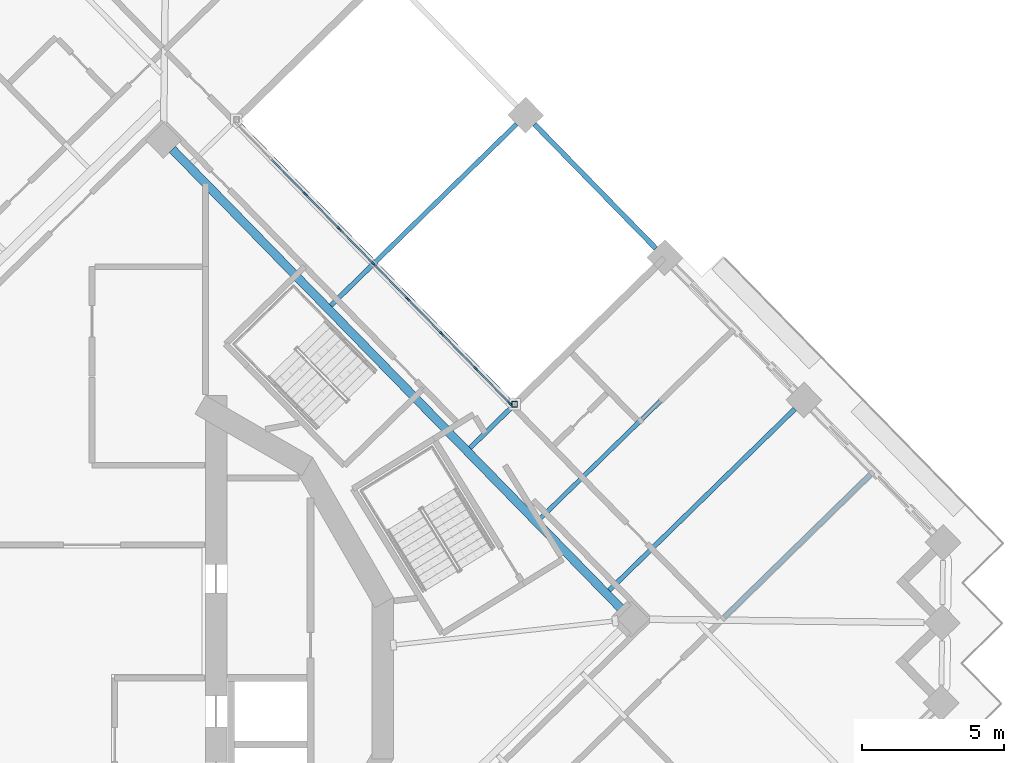
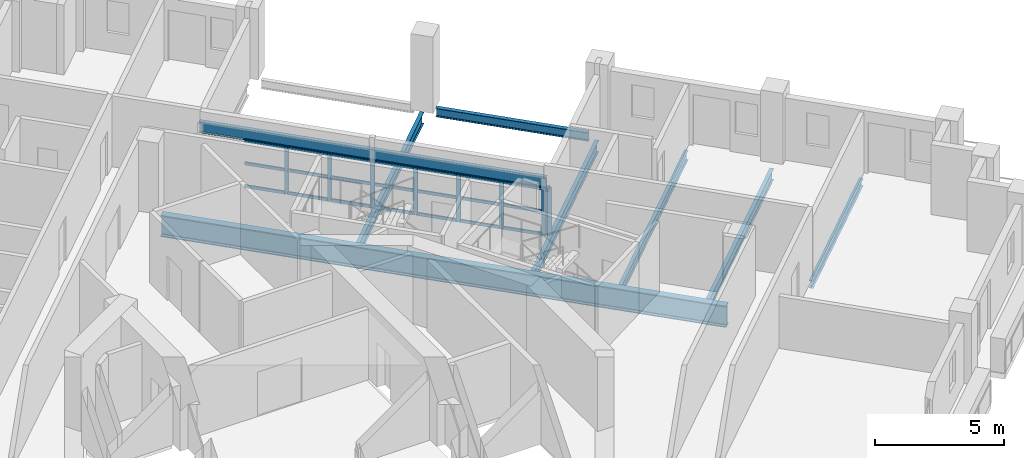
# One storey, part 3 of 20: 29 members, 8 beams, 1 element without a shape of its own.
"""IFC4 building model written with IfcOpenShell, lengths in metres."""

from ifc_helpers import new_model, si_unit, direction, frame, origin, origin_2d, place, context, subcontext, project, spatial, rectangle, hollow_rectangle, i_section, extrude, material, material_profile, profile_set, type_object, element, aggregate, save


model = new_model("IFC4")

# Units and contexts
model_context = context("Model", 3, precision=1e-05, world=origin(), true_north=direction((0.0, 1.0)))
body_context = subcontext(model_context, "Body", "Model", "MODEL_VIEW")
ifc_project = project(units=[si_unit("LENGTHUNIT", "METRE"), si_unit("AREAUNIT", "SQUARE_METRE"), si_unit("VOLUMEUNIT", "CUBIC_METRE"), si_unit("PLANEANGLEUNIT", "RADIAN"), si_unit("MASSUNIT", "GRAM", prefix="KILO")], contexts=[model_context])

# Site, building, storey
site_placement = place(None, origin())
site = spatial("IfcSite", under=ifc_project, at=site_placement, CompositionType="ELEMENT")
building_placement = place(site_placement, origin())
building = spatial("IfcBuilding", under=site, at=building_placement, Name="Cantera Rosa Tower", CompositionType="ELEMENT")
storey_placement = place(building_placement, frame((0.0, 0.0, 209.0)))
storey = spatial("IfcBuildingStorey", under=building, at=storey_placement, Name="L44", CompositionType="ELEMENT", Elevation=209.0)

# Curtain wall, members
ifc_material_1 = material(Name="Aluminium frame with clear glass", Category="aluminium")
curtain_wall_type = type_object("IfcCurtainWallType", Name="CW1 TERRACE POCKET GLAZING", PredefinedType="NOTDEFINED", material=ifc_material_1)
curtain_wall_placement = place(storey_placement, origin())
curtain_wall = element("IfcCurtainWall", 1, at=curtain_wall_placement, inside=storey, type_object=curtain_wall_type, Name="CW1 CW1", PredefinedType="NOTDEFINED")
ifc_material_2 = material(Name="Anodised bronze aluminium", Category="aluminium")
ifc_material_profile_1 = material_profile(ifc_material_2, rectangle(XDim=0.06005859375, YDim=0.179931640625, at=origin_2d()), Name="CW-MULLION 60x180 POCKET")
ifc_profile_set_1 = profile_set([ifc_material_profile_1], Name="Anodised bronze aluminium")
member_type_1 = type_object("IfcMemberType", Name="CW-MULLION 60x180 POCKET", PredefinedType="MULLION", material=ifc_profile_set_1)
member_1_placement = place(storey_placement, frame((14.718994140625, 9.68994140625, 0.0), z_axis=(0.0, 0.0, 1.0), x_axis=(-0.715286291058, -0.698831540376, 0.0)))
member_1 = element("IfcMember", 2, at=member_1_placement, type_object=member_type_1, Name="CW1 mullion 1", PredefinedType="MULLION", context=body_context, shape_type="SweptSolid", body=[
    extrude(rectangle(XDim=0.06005859375, YDim=0.179931640625, at=origin_2d()), origin(), (0.0, 0.0, 1.0), 2.2119140625),
])
member_2_placement = place(storey_placement, frame((13.535400390625, 10.901611328125, 0.0), z_axis=(0.0, 0.0, 1.0), x_axis=(-0.715286291058, -0.698831540376, 0.0)))
member_2 = element("IfcMember", 3, at=member_2_placement, type_object=member_type_1, Name="CW1 mullion 2", PredefinedType="MULLION", context=body_context, shape_type="SweptSolid", body=[
    extrude(rectangle(XDim=0.06005859375, YDim=0.179931640625, at=origin_2d()), origin(), (0.0, 0.0, 1.0), 2.2119140625),
])
member_3_placement = place(storey_placement, frame((12.330810546875, 12.134521484375, 0.0), z_axis=(0.0, 0.0, 1.0), x_axis=(-0.715286291058, -0.698831540376, 0.0)))
member_3 = element("IfcMember", 4, at=member_3_placement, type_object=member_type_1, Name="CW1 mullion 3", PredefinedType="MULLION", context=body_context, shape_type="SweptSolid", body=[
    extrude(rectangle(XDim=0.06005859375, YDim=0.179931640625, at=origin_2d()), origin(), (0.0, 0.0, 1.0), 2.2119140625),
])
member_4_placement = place(storey_placement, frame((11.126220703125, 13.367431640625, 0.0), z_axis=(0.0, 0.0, 1.0), x_axis=(-0.715286291058, -0.698831540376, 0.0)))
member_4 = element("IfcMember", 5, at=member_4_placement, type_object=member_type_1, Name="CW1 mullion 4", PredefinedType="MULLION", context=body_context, shape_type="SweptSolid", body=[
    extrude(rectangle(XDim=0.06005859375, YDim=0.179931640625, at=origin_2d()), origin(), (0.0, 0.0, 1.0), 2.2119140625),
])
member_5_placement = place(storey_placement, frame((9.921630859375, 14.600341796875, 0.0), z_axis=(0.0, 0.0, 1.0), x_axis=(-0.715286291058, -0.698831540376, 0.0)))
member_5 = element("IfcMember", 6, at=member_5_placement, type_object=member_type_1, Name="CW1 mullion 5", PredefinedType="MULLION", context=body_context, shape_type="SweptSolid", body=[
    extrude(rectangle(XDim=0.06005859375, YDim=0.179931640625, at=origin_2d()), origin(), (0.0, 0.0, 1.0), 2.2119140625),
])
member_6_placement = place(storey_placement, frame((8.717041015625, 15.83349609375, 0.0), z_axis=(0.0, 0.0, 1.0), x_axis=(-0.715286291058, -0.698831540376, 0.0)))
member_6 = element("IfcMember", 7, at=member_6_placement, type_object=member_type_1, Name="CW1 mullion 6", PredefinedType="MULLION", context=body_context, shape_type="SweptSolid", body=[
    extrude(rectangle(XDim=0.06005859375, YDim=0.179931640625, at=origin_2d()), origin(), (0.0, 0.0, 1.0), 2.2119140625),
])
member_7_placement = place(storey_placement, frame((7.512451171875, 17.06640625, 0.0), z_axis=(0.0, 0.0, 1.0), x_axis=(-0.715286291058, -0.698831540376, 0.0)))
member_7 = element("IfcMember", 8, at=member_7_placement, type_object=member_type_1, Name="CW1 mullion 7", PredefinedType="MULLION", context=body_context, shape_type="SweptSolid", body=[
    extrude(rectangle(XDim=0.06005859375, YDim=0.179931640625, at=origin_2d()), origin(), (0.0, 0.0, 1.0), 2.2119140625),
])
ifc_material_3 = material(Name="Anodised bronze aluminium", Category="aluminium")
ifc_material_profile_2 = material_profile(ifc_material_3, rectangle(XDim=0.06005859375, YDim=0.139892578125, at=origin_2d()), Name="CW-TRANSOM 60x140 POCKET")
ifc_profile_set_2 = profile_set([ifc_material_profile_2], Name="Anodised bronze aluminium")
member_type_2 = type_object("IfcMemberType", Name="CW-TRANSOM 60x140 POCKET", PredefinedType="USERDEFINED", material=ifc_profile_set_2)
member_8_placement = place(storey_placement, frame((14.697998046875, 9.71142578125, 0.030029296875), z_axis=(-0.698764422619, 0.715351858656, 0.0), x_axis=(-0.715351858656, -0.698764422619, 0.0)))
member_8 = element("IfcMember", 9, at=member_8_placement, type_object=member_type_2, Name="CW1 transom 1.1", ObjectType="TRANSOM", PredefinedType="USERDEFINED", context=body_context, shape_type="SweptSolid", body=[
    extrude(rectangle(XDim=0.06005859375, YDim=0.139892578125, at=origin_2d()), origin(), (0.0, 0.0, 1.0), 1.6337890625),
])
member_9_placement = place(storey_placement, frame((14.697998046875, 9.71142578125, 1.10595703125), z_axis=(-0.698764422619, 0.715351858656, 0.0), x_axis=(-0.715351858656, -0.698764422619, 0.0)))
member_9 = element("IfcMember", 10, at=member_9_placement, type_object=member_type_2, Name="CW1 transom 1.2", ObjectType="TRANSOM", PredefinedType="USERDEFINED", context=body_context, shape_type="SweptSolid", body=[
    extrude(rectangle(XDim=0.06005859375, YDim=0.139892578125, at=origin_2d()), origin(), (0.0, 0.0, 1.0), 1.6337890625),
])
member_10_placement = place(storey_placement, frame((14.697998046875, 9.71142578125, 2.181884765625), z_axis=(-0.698764422619, 0.715351858656, 0.0), x_axis=(-0.715351858656, -0.698764422619, 0.0)))
member_10 = element("IfcMember", 11, at=member_10_placement, type_object=member_type_2, Name="CW1 transom 1.3", ObjectType="TRANSOM", PredefinedType="USERDEFINED", context=body_context, shape_type="SweptSolid", body=[
    extrude(rectangle(XDim=0.06005859375, YDim=0.139892578125, at=origin_2d()), origin(), (0.0, 0.0, 1.0), 1.6337890625),
])
member_11_placement = place(storey_placement, frame((13.514404296875, 10.923095703125, 0.030029296875), z_axis=(-0.698840818716, 0.715277226044, 0.0), x_axis=(-0.715277226044, -0.698840818716, 0.0)))
member_11 = element("IfcMember", 12, at=member_11_placement, type_object=member_type_2, Name="CW1 transom 2.1", ObjectType="TRANSOM", PredefinedType="USERDEFINED", context=body_context, shape_type="SweptSolid", body=[
    extrude(rectangle(XDim=0.06005859375, YDim=0.139892578125, at=origin_2d()), origin(), (0.0, 0.0, 1.0), 1.66357421875),
])
member_12_placement = place(storey_placement, frame((13.514404296875, 10.923095703125, 1.10595703125), z_axis=(-0.698840818716, 0.715277226044, 0.0), x_axis=(-0.715277226044, -0.698840818716, 0.0)))
member_12 = element("IfcMember", 13, at=member_12_placement, type_object=member_type_2, Name="CW1 transom 2.2", ObjectType="TRANSOM", PredefinedType="USERDEFINED", context=body_context, shape_type="SweptSolid", body=[
    extrude(rectangle(XDim=0.06005859375, YDim=0.139892578125, at=origin_2d()), origin(), (0.0, 0.0, 1.0), 1.66357421875),
])
member_13_placement = place(storey_placement, frame((13.514404296875, 10.923095703125, 2.181884765625), z_axis=(-0.698840818716, 0.715277226044, 0.0), x_axis=(-0.715277226044, -0.698840818716, 0.0)))
member_13 = element("IfcMember", 14, at=member_13_placement, type_object=member_type_2, Name="CW1 transom 2.3", ObjectType="TRANSOM", PredefinedType="USERDEFINED", context=body_context, shape_type="SweptSolid", body=[
    extrude(rectangle(XDim=0.06005859375, YDim=0.139892578125, at=origin_2d()), origin(), (0.0, 0.0, 1.0), 1.66357421875),
])
member_14_placement = place(storey_placement, frame((12.309814453125, 12.156005859375, 0.030029296875), z_axis=(-0.698840818716, 0.715277226044, 0.0), x_axis=(-0.715277226044, -0.698840818716, 0.0)))
member_14 = element("IfcMember", 15, at=member_14_placement, type_object=member_type_2, Name="CW1 transom 3.1", ObjectType="TRANSOM", PredefinedType="USERDEFINED", context=body_context, shape_type="SweptSolid", body=[
    extrude(rectangle(XDim=0.06005859375, YDim=0.139892578125, at=origin_2d()), origin(), (0.0, 0.0, 1.0), 1.66357421875),
])
member_15_placement = place(storey_placement, frame((12.309814453125, 12.156005859375, 1.10595703125), z_axis=(-0.698840818716, 0.715277226044, 0.0), x_axis=(-0.715277226044, -0.698840818716, 0.0)))
member_15 = element("IfcMember", 16, at=member_15_placement, type_object=member_type_2, Name="CW1 transom 3.2", ObjectType="TRANSOM", PredefinedType="USERDEFINED", context=body_context, shape_type="SweptSolid", body=[
    extrude(rectangle(XDim=0.06005859375, YDim=0.139892578125, at=origin_2d()), origin(), (0.0, 0.0, 1.0), 1.66357421875),
])
member_16_placement = place(storey_placement, frame((12.309814453125, 12.156005859375, 2.181884765625), z_axis=(-0.698840818716, 0.715277226044, 0.0), x_axis=(-0.715277226044, -0.698840818716, 0.0)))
member_16 = element("IfcMember", 17, at=member_16_placement, type_object=member_type_2, Name="CW1 transom 3.3", ObjectType="TRANSOM", PredefinedType="USERDEFINED", context=body_context, shape_type="SweptSolid", body=[
    extrude(rectangle(XDim=0.06005859375, YDim=0.139892578125, at=origin_2d()), origin(), (0.0, 0.0, 1.0), 1.66357421875),
])
member_17_placement = place(storey_placement, frame((11.105224609375, 13.388916015625, 0.030029296875), z_axis=(-0.698767465746, 0.71534888608, 0.0), x_axis=(-0.71534888608, -0.698767465746, 0.0)))
member_17 = element("IfcMember", 18, at=member_17_placement, type_object=member_type_2, Name="CW1 transom 4.1", ObjectType="TRANSOM", PredefinedType="USERDEFINED", context=body_context, shape_type="SweptSolid", body=[
    extrude(rectangle(XDim=0.06005859375, YDim=0.139892578125, at=origin_2d()), origin(), (0.0, 0.0, 1.0), 1.663818359375),
])
member_18_placement = place(storey_placement, frame((11.105224609375, 13.388916015625, 1.10595703125), z_axis=(-0.698767465746, 0.71534888608, 0.0), x_axis=(-0.71534888608, -0.698767465746, 0.0)))
member_18 = element("IfcMember", 19, at=member_18_placement, type_object=member_type_2, Name="CW1 transom 4.2", ObjectType="TRANSOM", PredefinedType="USERDEFINED", context=body_context, shape_type="SweptSolid", body=[
    extrude(rectangle(XDim=0.06005859375, YDim=0.139892578125, at=origin_2d()), origin(), (0.0, 0.0, 1.0), 1.663818359375),
])
member_19_placement = place(storey_placement, frame((11.105224609375, 13.388916015625, 2.181884765625), z_axis=(-0.698767465746, 0.71534888608, 0.0), x_axis=(-0.71534888608, -0.698767465746, 0.0)))
member_19 = element("IfcMember", 20, at=member_19_placement, type_object=member_type_2, Name="CW1 transom 4.3", ObjectType="TRANSOM", PredefinedType="USERDEFINED", context=body_context, shape_type="SweptSolid", body=[
    extrude(rectangle(XDim=0.06005859375, YDim=0.139892578125, at=origin_2d()), origin(), (0.0, 0.0, 1.0), 1.663818359375),
])
member_20_placement = place(storey_placement, frame((9.900634765625, 14.621826171875, 0.030029296875), z_axis=(-0.698842543678, 0.715275540716, 0.0), x_axis=(-0.715275540716, -0.698842543678, 0.0)))
member_20 = element("IfcMember", 21, at=member_20_placement, type_object=member_type_2, Name="CW1 transom 5.1", ObjectType="TRANSOM", PredefinedType="USERDEFINED", context=body_context, shape_type="SweptSolid", body=[
    extrude(rectangle(XDim=0.06005859375, YDim=0.139892578125, at=origin_2d()), origin(), (0.0, 0.0, 1.0), 1.6640625),
])
member_21_placement = place(storey_placement, frame((9.900634765625, 14.621826171875, 1.10595703125), z_axis=(-0.698842543678, 0.715275540716, 0.0), x_axis=(-0.715275540716, -0.698842543678, 0.0)))
member_21 = element("IfcMember", 22, at=member_21_placement, type_object=member_type_2, Name="CW1 transom 5.2", ObjectType="TRANSOM", PredefinedType="USERDEFINED", context=body_context, shape_type="SweptSolid", body=[
    extrude(rectangle(XDim=0.06005859375, YDim=0.139892578125, at=origin_2d()), origin(), (0.0, 0.0, 1.0), 1.6640625),
])
member_22_placement = place(storey_placement, frame((9.900634765625, 14.621826171875, 2.181884765625), z_axis=(-0.698842543678, 0.715275540716, 0.0), x_axis=(-0.715275540716, -0.698842543678, 0.0)))
member_22 = element("IfcMember", 23, at=member_22_placement, type_object=member_type_2, Name="CW1 transom 5.3", ObjectType="TRANSOM", PredefinedType="USERDEFINED", context=body_context, shape_type="SweptSolid", body=[
    extrude(rectangle(XDim=0.06005859375, YDim=0.139892578125, at=origin_2d()), origin(), (0.0, 0.0, 1.0), 1.6640625),
])
member_23_placement = place(storey_placement, frame((8.696044921875, 15.85498046875, 0.030029296875), z_axis=(-0.698915889484, 0.715203872632, 0.0), x_axis=(-0.715203872632, -0.698915889484, 0.0)))
member_23 = element("IfcMember", 24, at=member_23_placement, type_object=member_type_2, Name="CW1 transom 6.1", ObjectType="TRANSOM", PredefinedType="USERDEFINED", context=body_context, shape_type="SweptSolid", body=[
    extrude(rectangle(XDim=0.06005859375, YDim=0.139892578125, at=origin_2d()), origin(), (0.0, 0.0, 1.0), 1.663818359375),
])
member_24_placement = place(storey_placement, frame((8.696044921875, 15.85498046875, 1.10595703125), z_axis=(-0.698915889484, 0.715203872632, 0.0), x_axis=(-0.715203872632, -0.698915889484, 0.0)))
member_24 = element("IfcMember", 25, at=member_24_placement, type_object=member_type_2, Name="CW1 transom 6.2", ObjectType="TRANSOM", PredefinedType="USERDEFINED", context=body_context, shape_type="SweptSolid", body=[
    extrude(rectangle(XDim=0.06005859375, YDim=0.139892578125, at=origin_2d()), origin(), (0.0, 0.0, 1.0), 1.663818359375),
])
member_25_placement = place(storey_placement, frame((8.696044921875, 15.85498046875, 2.181884765625), z_axis=(-0.698915889484, 0.715203872632, 0.0), x_axis=(-0.715203872632, -0.698915889484, 0.0)))
member_25 = element("IfcMember", 26, at=member_25_placement, type_object=member_type_2, Name="CW1 transom 6.3", ObjectType="TRANSOM", PredefinedType="USERDEFINED", context=body_context, shape_type="SweptSolid", body=[
    extrude(rectangle(XDim=0.06005859375, YDim=0.139892578125, at=origin_2d()), origin(), (0.0, 0.0, 1.0), 1.663818359375),
])
member_26_placement = place(storey_placement, frame((7.491455078125, 17.087890625, 0.030029296875), z_axis=(-0.698915889484, 0.715203872632, 0.0), x_axis=(-0.715203872632, -0.698915889484, 0.0)))
member_26 = element("IfcMember", 27, at=member_26_placement, type_object=member_type_2, Name="CW1 transom 7.1", ObjectType="TRANSOM", PredefinedType="USERDEFINED", context=body_context, shape_type="SweptSolid", body=[
    extrude(rectangle(XDim=0.06005859375, YDim=0.139892578125, at=origin_2d()), origin(), (0.0, 0.0, 1.0), 1.663818359375),
])
member_27_placement = place(storey_placement, frame((7.491455078125, 17.087890625, 1.10595703125), z_axis=(-0.698915889484, 0.715203872632, 0.0), x_axis=(-0.715203872632, -0.698915889484, 0.0)))
member_27 = element("IfcMember", 28, at=member_27_placement, type_object=member_type_2, Name="CW1 transom 7.2", ObjectType="TRANSOM", PredefinedType="USERDEFINED", context=body_context, shape_type="SweptSolid", body=[
    extrude(rectangle(XDim=0.06005859375, YDim=0.139892578125, at=origin_2d()), origin(), (0.0, 0.0, 1.0), 1.663818359375),
])
member_28_placement = place(storey_placement, frame((7.491455078125, 17.087890625, 2.181884765625), z_axis=(-0.698915889484, 0.715203872632, 0.0), x_axis=(-0.715203872632, -0.698915889484, 0.0)))
member_28 = element("IfcMember", 29, at=member_28_placement, type_object=member_type_2, Name="CW1 transom 7.3", ObjectType="TRANSOM", PredefinedType="USERDEFINED", context=body_context, shape_type="SweptSolid", body=[
    extrude(rectangle(XDim=0.06005859375, YDim=0.139892578125, at=origin_2d()), origin(), (0.0, 0.0, 1.0), 1.663818359375),
])
aggregate(curtain_wall, [member_1, member_2, member_3, member_4, member_5, member_6, member_7, member_8, member_9, member_10, member_11, member_12, member_13, member_14, member_15, member_16, member_17, member_18, member_19, member_20, member_21, member_22, member_23, member_24, member_25, member_26, member_27, member_28])

# Member
ifc_material_4 = material(Name="Steel ASTM A992 (Fy 345 MPa)", Category="steel")
ifc_material_profile_3 = material_profile(ifc_material_4, hollow_rectangle(XDim=0.199951171875, YDim=0.199951171875, WallThickness=0.010009765625, at=origin_2d()), Name="LINTEL POST RHS 200x200x10")
ifc_profile_set_3 = profile_set([ifc_material_profile_3], Name="Steel ASTM A992 (Fy 345 MPa)")
member_type_3 = type_object("IfcMemberType", Name="LINTEL POST RHS 200x200x10", PredefinedType="USERDEFINED", material=ifc_profile_set_3)
member_29_placement = place(storey_placement, frame((14.89892578125, 9.64892578125, 0.0), z_axis=(0.0, 0.0, 1.0), x_axis=(1.0, 0.0, 0.0)))
element("IfcMember", 30, at=member_29_placement, inside=storey, type_object=member_type_3, Name="LINTEL POST L44-1", ObjectType="LINTEL POST", PredefinedType="USERDEFINED", context=body_context, shape_type="SweptSolid", body=[
    extrude(hollow_rectangle(XDim=0.199951171875, YDim=0.199951171875, WallThickness=0.010009765625, at=origin_2d()), origin(), (0.0, 0.0, 1.0), 2.214111328125),
])

# Beams
ifc_material_5 = material(Name="Steel ASTM A992 (Fy 345 MPa)", Category="steel")
ifc_material_profile_4 = material_profile(ifc_material_5, i_section(OverallWidth=0.302001953125, OverallDepth=1.010009765625, WebThickness=0.02099609375, FlangeThickness=0.0400390625, FilletRadius=0.030029296875, at=origin_2d()), Name="W1000X350")
ifc_profile_set_4 = profile_set([ifc_material_profile_4], Name="Steel ASTM A992 (Fy 345 MPa)")
beam_type_1 = type_object("IfcBeamType", Name="STEEL BEAM W1000X350", PredefinedType="BEAM", material=ifc_profile_set_4)
beam_1_placement = place(storey_placement, frame((18.69677734375, 2.39892578125, -0.7548828125), z_axis=(-0.698831294804, 0.715286530981, 0.0), x_axis=(-0.715286530981, -0.698831294804, 0.0)))
element("IfcBeam", 31, at=beam_1_placement, inside=storey, type_object=beam_type_1, Name="RB-Z4-05 L44", PredefinedType="BEAM", context=body_context, shape_type="SweptSolid", body=[
    extrude(i_section(OverallWidth=0.302001953125, OverallDepth=1.010009765625, WebThickness=0.02099609375, FlangeThickness=0.0400390625, FilletRadius=0.030029296875, at=origin_2d()), origin(), (0.0, 0.0, 1.0), 22.7001953125),
])
ifc_material_6 = material(Name="Steel ASTM A992 (Fy 345 MPa)", Category="steel")
ifc_material_profile_5 = material_profile(ifc_material_6, i_section(OverallWidth=0.166015625, OverallDepth=0.528076171875, WebThickness=0.009765625, FlangeThickness=0.013671875, FilletRadius=0.0126953125, at=origin_2d()), Name="W530X74")
ifc_profile_set_5 = profile_set([ifc_material_profile_5], Name="Steel ASTM A992 (Fy 345 MPa)")
beam_type_2 = type_object("IfcBeamType", Name="STEEL BEAM W530X74", PredefinedType="BEAM", material=ifc_profile_set_5)
for number, where, z_axis, x_axis, name in (
    (32, (24.77587890625, 9.484619140625, -0.513916015625), (-0.71529025682, -0.698827481213, 0.0), (0.698827481213, -0.71529025682, 0.0), "G-Z4-01 L44"),
    (33, (19.8701171875, 14.505859375, -0.513916015625), (-0.71529025682, -0.698827481213, 0.0), (0.698827481213, -0.71529025682, 0.0), "G-Z4-02 L44"),
    (34, (14.96435546875, 19.527099609375, -0.513916015625), (-0.71529025682, -0.698827481213, 0.0), (0.698827481213, -0.71529025682, 0.0), "G-Z4-03 L44"),
):
    element("IfcBeam", number, at=place(storey_placement, frame(where, z_axis=z_axis, x_axis=x_axis)), inside=storey, type_object=beam_type_2, Name=name, PredefinedType="BEAM", context=body_context, shape_type="SweptSolid", body=[
        extrude(i_section(OverallWidth=0.166015625, OverallDepth=0.528076171875, WebThickness=0.009765625, FlangeThickness=0.013671875, FilletRadius=0.0126953125, at=origin_2d()), origin(), (0.0, 0.0, 1.0), 9.14990234375),
    ])
beam_2_placement = place(storey_placement, frame((14.828125, 9.64990234375, 2.47802734375), z_axis=(-0.698836233689, 0.715281705682, 0.0), x_axis=(-0.715281705682, -0.698836233689, 0.0)))
element("IfcBeam", 35, at=beam_2_placement, inside=storey, type_object=beam_type_2, Name="LINTEL SL-L44", PredefinedType="BEAM", context=body_context, shape_type="SweptSolid", body=[
    extrude(i_section(OverallWidth=0.166015625, OverallDepth=0.528076171875, WebThickness=0.009765625, FlangeThickness=0.013671875, FilletRadius=0.0126953125, at=origin_2d()), origin(), (0.0, 0.0, 1.0), 13.93994140625),
])
ifc_material_7 = material(Name="Steel ASTM A992 (Fy 345 MPa)", Category="steel")
ifc_material_profile_6 = material_profile(ifc_material_7, i_section(OverallWidth=0.1708984375, OverallDepth=0.35595703125, WebThickness=0.00732421875, FlangeThickness=0.01171875, FilletRadius=0.010009765625, at=origin_2d()), Name="W360X51")
ifc_profile_set_6 = profile_set([ifc_material_profile_6], Name="Steel ASTM A992 (Fy 345 MPa)")
beam_type_3 = type_object("IfcBeamType", Name="STEEL JOIST W360X51", PredefinedType="JOIST", material=ifc_profile_set_6)
beam_3_placement = place(storey_placement, frame((27.443359375, 7.18359375, -0.427978515625), z_axis=(-0.715287213552, -0.69883059616, 0.0), x_axis=(0.69883059616, -0.715287213552, 0.0)))
element("IfcBeam", 36, at=beam_3_placement, inside=storey, type_object=beam_type_3, Name="B-Z4-01 L44", PredefinedType="JOIST", context=body_context, shape_type="SweptSolid", body=[
    extrude(i_section(OverallWidth=0.1708984375, OverallDepth=0.35595703125, WebThickness=0.00732421875, FlangeThickness=0.01171875, FilletRadius=0.010009765625, at=origin_2d()), origin(), (0.0, 0.0, 1.0), 7.2099609375),
])
ifc_material_8 = material(Name="Steel ASTM A992 (Fy 345 MPa)", Category="steel")
ifc_material_profile_7 = material_profile(ifc_material_8, i_section(OverallWidth=0.154052734375, OverallDepth=0.4599609375, WebThickness=0.009033203125, FlangeThickness=0.015380859375, FilletRadius=0.01025390625, at=origin_2d()), Name="W460X68")
ifc_profile_set_7 = profile_set([ifc_material_profile_7], Name="Steel ASTM A992 (Fy 345 MPa)")
beam_type_4 = type_object("IfcBeamType", Name="STEEL JOIST W460X68", PredefinedType="JOIST", material=ifc_profile_set_7)
beam_4_placement = place(storey_placement, frame((22.53759765625, 12.204833984375, -0.47998046875), z_axis=(-0.715287278354, -0.698830529832, 0.0), x_axis=(0.698830529832, -0.715287278354, 0.0)))
element("IfcBeam", 37, at=beam_4_placement, inside=storey, type_object=beam_type_4, Name="B-Z4-02 L44", PredefinedType="JOIST", context=body_context, shape_type="SweptSolid", body=[
    extrude(i_section(OverallWidth=0.154052734375, OverallDepth=0.4599609375, WebThickness=0.009033203125, FlangeThickness=0.015380859375, FilletRadius=0.01025390625, at=origin_2d()), origin(), (0.0, 0.0, 1.0), 9.4501953125),
])
ifc_material_9 = material(Name="Steel ASTM A992 (Fy 345 MPa)", Category="steel")
ifc_material_profile_8 = material_profile(ifc_material_9, i_section(OverallWidth=0.177978515625, OverallDepth=0.406005859375, WebThickness=0.0078125, FlangeThickness=0.0126953125, FilletRadius=0.01025390625, at=origin_2d()), Name="W410X60")
ifc_profile_set_8 = profile_set([ifc_material_profile_8], Name="Steel ASTM A992 (Fy 345 MPa)")
beam_type_5 = type_object("IfcBeamType", Name="STEEL SPANDREL BEAM W410X60", PredefinedType="SPANDREL", material=ifc_profile_set_8)
beam_5_placement = place(storey_placement, frame((19.87744140625, 15.142333984375, -0.452880859375), z_axis=(-0.698841120217, 0.71527693147, 0.0), x_axis=(-0.71527693147, -0.698841120217, 0.0)))
element("IfcBeam", 38, at=beam_5_placement, inside=storey, type_object=beam_type_5, Name="EB-Z4-03 L44", PredefinedType="SPANDREL", context=body_context, shape_type="SweptSolid", body=[
    extrude(i_section(OverallWidth=0.177978515625, OverallDepth=0.406005859375, WebThickness=0.0078125, FlangeThickness=0.0126953125, FilletRadius=0.01025390625, at=origin_2d()), origin(), (0.0, 0.0, 1.0), 6.119873046875),
])

save(model, "model.ifc")
